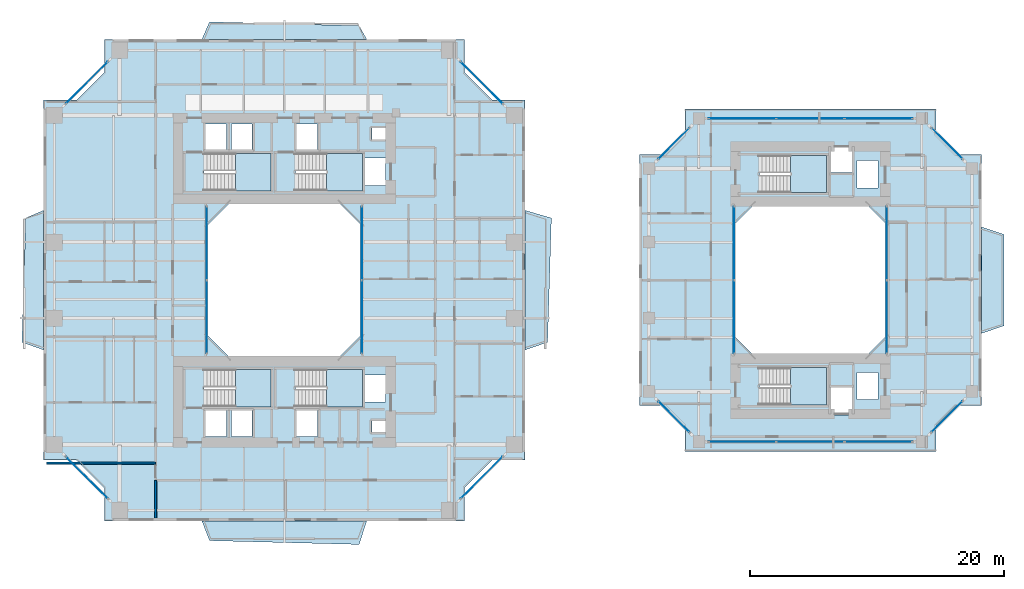
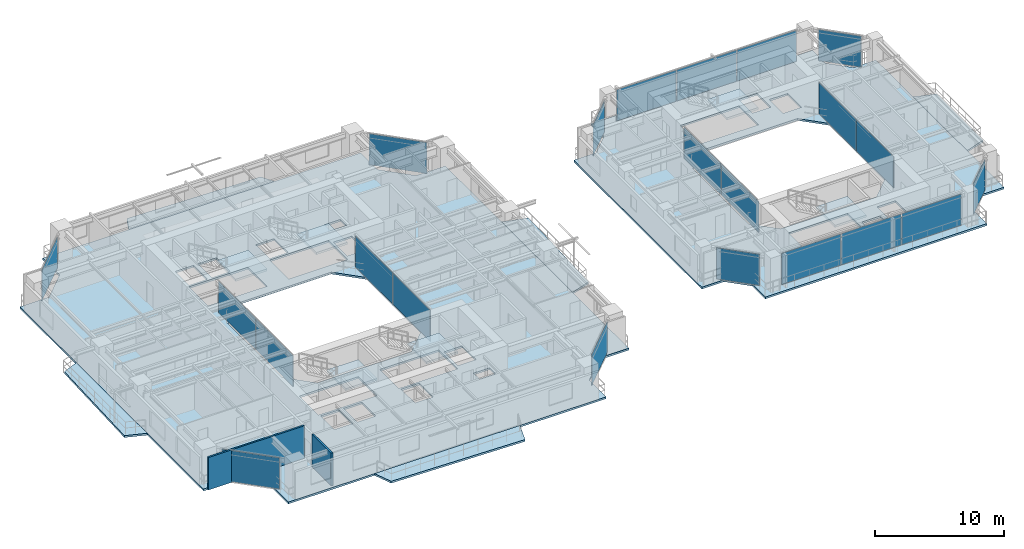
# One storey, part 11 of 24: 22 plates, 13 slabs, 2 walls, 20 elements without a shape of their own.
"""IFC4 building model written with IfcOpenShell, lengths in metres."""

from ifc_helpers import new_model, si_unit, direction, frame, frame_2d, origin, origin_2d, place, context, subcontext, project, spatial, polyline, rectangle, outline, extrude, source, transform, mapped, material, layer, layer_set, type_object, element, aggregate, save


model = new_model("IFC4")

# Units and contexts
model_context = context("Model", 3, precision=1e-05, world=origin(), true_north=direction((0.0, 1.0)))
body_context = subcontext(model_context, "Body", "Model", "MODEL_VIEW")
ifc_project = project(units=[si_unit("LENGTHUNIT", "METRE"), si_unit("AREAUNIT", "SQUARE_METRE"), si_unit("VOLUMEUNIT", "CUBIC_METRE"), si_unit("PLANEANGLEUNIT", "RADIAN"), si_unit("MASSUNIT", "GRAM", prefix="KILO"), si_unit("THERMODYNAMICTEMPERATUREUNIT", "KELVIN"), si_unit("POWERUNIT", "WATT")], contexts=[model_context])

# Site, building, storey
site_placement = place(None, origin())
site = spatial("IfcSite", under=ifc_project, at=site_placement, CompositionType="ELEMENT")
building_placement = place(site_placement, origin())
building = spatial("IfcBuilding", under=site, at=building_placement, Name="Qiaomeng Ring Towers", CompositionType="ELEMENT")
storey_placement = place(building_placement, frame((0.0, 0.0, 36.0)))
storey = spatial("IfcBuildingStorey", under=building, at=storey_placement, Name="L09", CompositionType="ELEMENT", Elevation=36.0)

# Slabs
ifc_material_1 = material(Name="Concrete C40", Category="concrete")
ifc_layer_1 = layer(ifc_material_1, 0.179931640625, Name="Concrete C40")
ifc_layer_set_1 = layer_set([ifc_layer_1], Name="Concrete C40")
slab_type_1 = type_object("IfcSlabType", Name="STR-SL-180", PredefinedType="FLOOR", material=ifc_layer_set_1)
slab_1_placement = place(storey_placement, frame((0.0, 0.0, -0.179931640625)))
element("IfcSlab", 1, at=slab_1_placement, inside=storey, type_object=slab_type_1, Name="L09 Tower 1 Annular Floor Slab", PredefinedType="FLOOR", context=body_context, shape_type="SweptSolid", body=[
    extrude(outline(polyline([(4.800048828125, 4.0), (33.199951171875, 4.0), (33.199951171875, 6.60009765625), (35.39990234375, 8.800048828125), (38.0, 8.800048828125), (38.0, 37.199951171875), (35.39990234375, 37.199951171875), (33.199951171875, 39.39990234375), (33.199951171875, 42.0), (4.800048828125, 42.0), (4.800048828125, 39.39990234375), (2.60009765625, 37.199951171875), (0.0, 37.199951171875), (0.0, 8.800048828125), (2.60009765625, 8.800048828125), (4.800048828125, 6.60009765625), (4.800048828125, 4.0)]), holes=[polyline([(12.780029296875, 10.679931640625), (12.780029296875, 12.820068359375), (14.419921875, 12.820068359375), (14.419921875, 10.679931640625), (12.780029296875, 10.679931640625)]), polyline([(14.830078125, 12.820068359375), (16.469970703125, 12.820068359375), (16.469970703125, 10.679931640625), (14.830078125, 10.679931640625), (14.830078125, 12.820068359375)]), polyline([(12.679931640625, 15.949951171875), (17.949951171875, 15.949951171875), (17.949951171875, 13.010009765625), (12.679931640625, 13.010009765625), (12.679931640625, 15.949951171875)]), polyline([(25.199951171875, 27.199951171875), (25.199951171875, 18.800048828125), (23.199951171875, 16.800048828125), (14.800048828125, 16.800048828125), (12.800048828125, 18.800048828125), (12.800048828125, 27.199951171875), (14.800048828125, 29.199951171875), (23.199951171875, 29.199951171875), (25.199951171875, 27.199951171875)]), polyline([(12.679931640625, 32.989990234375), (17.949951171875, 32.989990234375), (17.949951171875, 30.050048828125), (12.679931640625, 30.050048828125), (12.679931640625, 32.989990234375)]), polyline([(12.780029296875, 35.320068359375), (14.419921875, 35.320068359375), (14.419921875, 33.179931640625), (12.780029296875, 33.179931640625), (12.780029296875, 35.320068359375)]), polyline([(14.830078125, 35.320068359375), (16.469970703125, 35.320068359375), (16.469970703125, 33.179931640625), (14.830078125, 33.179931640625), (14.830078125, 35.320068359375)]), polyline([(19.97998046875, 35.320068359375), (21.6201171875, 35.320068359375), (21.6201171875, 33.179931640625), (19.97998046875, 33.179931640625), (19.97998046875, 35.320068359375)]), polyline([(25.919921875, 11.89990234375), (27.360107421875, 11.89990234375), (27.360107421875, 11.0), (25.919921875, 11.0), (25.919921875, 11.89990234375)]), polyline([(19.97998046875, 12.820068359375), (21.6201171875, 12.820068359375), (21.6201171875, 10.679931640625), (19.97998046875, 10.679931640625), (19.97998046875, 12.820068359375)]), polyline([(25.360107421875, 15.52001953125), (27.0, 15.52001953125), (27.0, 13.3798828125), (25.360107421875, 13.3798828125), (25.360107421875, 15.52001953125)]), polyline([(19.8798828125, 15.949951171875), (25.14990234375, 15.949951171875), (25.14990234375, 13.010009765625), (19.8798828125, 13.010009765625), (19.8798828125, 15.949951171875)]), polyline([(19.8798828125, 32.989990234375), (25.14990234375, 32.989990234375), (25.14990234375, 30.050048828125), (19.8798828125, 30.050048828125), (19.8798828125, 32.989990234375)]), polyline([(25.360107421875, 32.6201171875), (27.0, 32.6201171875), (27.0, 30.47998046875), (25.360107421875, 30.47998046875), (25.360107421875, 32.6201171875)]), polyline([(25.919921875, 35.0), (27.360107421875, 35.0), (27.360107421875, 34.10009765625), (25.919921875, 34.10009765625), (25.919921875, 35.0)])]), origin(), (0.0, 0.0, 1.0), 0.179931640625),
])
slab_2_placement = place(storey_placement, frame((0.0, 0.0, -0.179931640625)))
element("IfcSlab", 2, at=slab_2_placement, inside=storey, type_object=slab_type_1, Name="L09 Companion Tower 2 Annular Floor Slab", PredefinedType="FLOOR", context=body_context, shape_type="SweptSolid", body=[
    extrude(outline(polyline([(50.60009765625, 9.5), (70.39990234375, 9.5), (70.39990234375, 11.5), (72.0, 13.10009765625), (74.0, 13.10009765625), (74.0, 32.89990234375), (72.0, 32.89990234375), (70.39990234375, 34.5), (70.39990234375, 36.5), (50.60009765625, 36.5), (50.60009765625, 34.5), (49.0, 32.89990234375), (47.0, 32.89990234375), (47.0, 13.10009765625), (49.0, 13.10009765625), (50.60009765625, 11.5), (50.60009765625, 9.5)]), holes=[polyline([(62.1298828125, 12.3798828125), (62.1298828125, 14.52001953125), (63.77001953125, 14.52001953125), (63.77001953125, 12.3798828125), (62.1298828125, 12.3798828125)]), polyline([(56.47998046875, 13.159912109375), (56.47998046875, 16.10009765625), (61.75, 16.10009765625), (61.75, 13.159912109375), (56.47998046875, 13.159912109375)]), polyline([(64.179931640625, 13.580078125), (64.179931640625, 15.719970703125), (65.820068359375, 15.719970703125), (65.820068359375, 13.580078125), (64.179931640625, 13.580078125)]), polyline([(64.800048828125, 29.10009765625), (66.60009765625, 27.300048828125), (66.60009765625, 18.699951171875), (64.800048828125, 16.89990234375), (56.199951171875, 16.89990234375), (54.39990234375, 18.699951171875), (54.39990234375, 27.300048828125), (56.199951171875, 29.10009765625), (64.800048828125, 29.10009765625)]), polyline([(64.179931640625, 30.280029296875), (64.179931640625, 32.419921875), (65.820068359375, 32.419921875), (65.820068359375, 30.280029296875), (64.179931640625, 30.280029296875)]), polyline([(56.47998046875, 32.840087890625), (61.75, 32.840087890625), (61.75, 29.89990234375), (56.47998046875, 29.89990234375), (56.47998046875, 32.840087890625)]), polyline([(62.1298828125, 33.6201171875), (63.77001953125, 33.6201171875), (63.77001953125, 31.47998046875), (62.1298828125, 31.47998046875), (62.1298828125, 33.6201171875)])]), origin(), (0.0, 0.0, 1.0), 0.179931640625),
])
ifc_layer_2 = layer(ifc_material_1, 0.179931640625, Name="Concrete C40")
ifc_layer_set_2 = layer_set([ifc_layer_2], Name="Concrete C40")
slab_type_2 = type_object("IfcSlabType", Name="STR-SL-BAL", PredefinedType="FLOOR", material=ifc_layer_set_2)
slab_3_placement = place(storey_placement, frame((0.0, 0.0, -0.179931640625)))
element("IfcSlab", 3, at=slab_3_placement, inside=storey, type_object=slab_type_2, Name="L09 Tower 1 S Faceted Balcony Slab", PredefinedType="FLOOR", context=body_context, shape_type="SweptSolid", body=[
    extrude(outline(polyline([(24.89990234375, 2.14990234375), (13.10009765625, 2.449951171875), (12.5, 4.0), (25.5, 4.0), (24.89990234375, 2.14990234375)])), origin(), (0.0, 0.0, 1.0), 0.179931640625),
])
slab_4_placement = place(storey_placement, frame((0.0, 0.0, -0.179931640625)))
element("IfcSlab", 4, at=slab_4_placement, inside=storey, type_object=slab_type_2, Name="L09 Tower 1 E Faceted Balcony Slab", PredefinedType="FLOOR", context=body_context, shape_type="SweptSolid", body=[
    extrude(outline(polyline([(40.070068359375, 27.89990234375), (39.77001953125, 18.10009765625), (38.0, 17.5), (38.0, 28.5), (40.070068359375, 27.89990234375)])), origin(), (0.0, 0.0, 1.0), 0.179931640625),
])
slab_5_placement = place(storey_placement, frame((0.0, 0.0, -0.179931640625)))
element("IfcSlab", 5, at=slab_5_placement, inside=storey, type_object=slab_type_2, Name="L09 Tower 1 N Faceted Balcony Slab", PredefinedType="FLOOR", context=body_context, shape_type="SweptSolid", body=[
    extrude(outline(polyline([(12.5, 42.0), (13.10009765625, 43.3701171875), (24.89990234375, 43.070068359375), (25.5, 42.0), (12.5, 42.0)])), origin(), (0.0, 0.0, 1.0), 0.179931640625),
])
slab_6_placement = place(storey_placement, frame((0.0, 0.0, -0.179931640625)))
element("IfcSlab", 6, at=slab_6_placement, inside=storey, type_object=slab_type_2, Name="L09 Tower 1 W Faceted Balcony Slab", PredefinedType="FLOOR", context=body_context, shape_type="SweptSolid", body=[
    extrude(outline(polyline([(0.0, 17.5), (-1.699951171875, 18.10009765625), (-1.39990234375, 27.89990234375), (0.0, 28.5), (0.0, 17.5)])), origin(), (0.0, 0.0, 1.0), 0.179931640625),
])
slab_7_placement = place(storey_placement, frame((0.0, 0.0, -0.179931640625)))
element("IfcSlab", 7, at=slab_7_placement, inside=storey, type_object=slab_type_2, Name="L09 Companion East Faceted Balcony Slab", PredefinedType="FLOOR", context=body_context, shape_type="SweptSolid", body=[
    extrude(outline(polyline([(75.77001953125, 26.60009765625), (75.77001953125, 19.39990234375), (74.0, 18.800048828125), (74.0, 27.199951171875), (75.77001953125, 26.60009765625)])), origin(), (0.0, 0.0, 1.0), 0.179931640625),
])

# Stair, slab
ifc_material_2 = material(Name="Precast concrete C40", Category="concrete")
stair_type = type_object("IfcStairType", Name="ARC-ST-325", PredefinedType="HALF_TURN_STAIR", material=ifc_material_2)
stair_1_placement = place(storey_placement, origin())
stair_1 = element("IfcStair", 8, at=stair_1_placement, inside=storey, type_object=stair_type, Name="L09 Tower 1 North Stair 1", PredefinedType="HALF_TURN_STAIR")
ifc_layer_3 = layer(ifc_material_1, 0.199951171875, Name="Concrete C40")
ifc_layer_set_3 = layer_set([ifc_layer_3], Name="Concrete C40")
slab_type_3 = type_object("IfcSlabType", Name="STR-SL-LANDING", PredefinedType="LANDING", material=ifc_layer_set_3)
slab_8_placement = place(storey_placement, frame((0.0, 0.0, 1.425048828125)))
slab_8 = element("IfcSlab", 9, at=slab_8_placement, type_object=slab_type_3, Name="ST1 landing 1", PredefinedType="LANDING", context=body_context, shape_type="SweptSolid", body=[
    extrude(outline(polyline([(15.139892578125, 30.050048828125), (17.949951171875, 30.050048828125), (17.949951171875, 32.989990234375), (15.139892578125, 32.989990234375), (15.139892578125, 30.050048828125)])), origin(), (0.0, 0.0, 1.0), 0.199951171875),
])
aggregate(stair_1, [slab_8])

stair_2_placement = place(storey_placement, origin())
stair_2 = element("IfcStair", 10, at=stair_2_placement, inside=storey, type_object=stair_type, Name="L09 Tower 1 North Stair 2", PredefinedType="HALF_TURN_STAIR")
slab_9_placement = place(storey_placement, frame((0.0, 0.0, 1.425048828125)))
slab_9 = element("IfcSlab", 11, at=slab_9_placement, type_object=slab_type_3, Name="ST2 landing 1", PredefinedType="LANDING", context=body_context, shape_type="SweptSolid", body=[
    extrude(outline(polyline([(22.340087890625, 30.050048828125), (25.14990234375, 30.050048828125), (25.14990234375, 32.989990234375), (22.340087890625, 32.989990234375), (22.340087890625, 30.050048828125)])), origin(), (0.0, 0.0, 1.0), 0.199951171875),
])
aggregate(stair_2, [slab_9])

stair_3_placement = place(storey_placement, origin())
stair_3 = element("IfcStair", 12, at=stair_3_placement, inside=storey, type_object=stair_type, Name="L09 Tower 1 South Stair 3", PredefinedType="HALF_TURN_STAIR")
slab_10_placement = place(storey_placement, frame((0.0, 0.0, 1.425048828125)))
slab_10 = element("IfcSlab", 13, at=slab_10_placement, type_object=slab_type_3, Name="ST3 landing 1", PredefinedType="LANDING", context=body_context, shape_type="SweptSolid", body=[
    extrude(outline(polyline([(15.139892578125, 13.010009765625), (17.949951171875, 13.010009765625), (17.949951171875, 15.949951171875), (15.139892578125, 15.949951171875), (15.139892578125, 13.010009765625)])), origin(), (0.0, 0.0, 1.0), 0.199951171875),
])
aggregate(stair_3, [slab_10])

stair_4_placement = place(storey_placement, origin())
stair_4 = element("IfcStair", 14, at=stair_4_placement, inside=storey, type_object=stair_type, Name="L09 Tower 1 South Stair 4", PredefinedType="HALF_TURN_STAIR")
slab_11_placement = place(storey_placement, frame((0.0, 0.0, 1.425048828125)))
slab_11 = element("IfcSlab", 15, at=slab_11_placement, type_object=slab_type_3, Name="ST4 landing 1", PredefinedType="LANDING", context=body_context, shape_type="SweptSolid", body=[
    extrude(outline(polyline([(22.340087890625, 13.010009765625), (25.14990234375, 13.010009765625), (25.14990234375, 15.949951171875), (22.340087890625, 15.949951171875), (22.340087890625, 13.010009765625)])), origin(), (0.0, 0.0, 1.0), 0.199951171875),
])
aggregate(stair_4, [slab_11])

stair_5_placement = place(storey_placement, origin())
stair_5 = element("IfcStair", 16, at=stair_5_placement, inside=storey, type_object=stair_type, Name="L09 Companion North Stair 5", PredefinedType="HALF_TURN_STAIR")
slab_12_placement = place(storey_placement, frame((0.0, 0.0, 1.425048828125)))
slab_12 = element("IfcSlab", 17, at=slab_12_placement, type_object=slab_type_3, Name="ST5 landing 1", PredefinedType="LANDING", context=body_context, shape_type="SweptSolid", body=[
    extrude(outline(polyline([(58.93994140625, 29.89990234375), (61.75, 29.89990234375), (61.75, 32.840087890625), (58.93994140625, 32.840087890625), (58.93994140625, 29.89990234375)])), origin(), (0.0, 0.0, 1.0), 0.199951171875),
])
aggregate(stair_5, [slab_12])

stair_6_placement = place(storey_placement, origin())
stair_6 = element("IfcStair", 18, at=stair_6_placement, inside=storey, type_object=stair_type, Name="L09 Companion South Stair 6", PredefinedType="HALF_TURN_STAIR")
slab_13_placement = place(storey_placement, frame((0.0, 0.0, 1.425048828125)))
slab_13 = element("IfcSlab", 19, at=slab_13_placement, type_object=slab_type_3, Name="ST6 landing 1", PredefinedType="LANDING", context=body_context, shape_type="SweptSolid", body=[
    extrude(outline(polyline([(58.93994140625, 13.159912109375), (61.75, 13.159912109375), (61.75, 16.10009765625), (58.93994140625, 16.10009765625), (58.93994140625, 13.159912109375)])), origin(), (0.0, 0.0, 1.0), 0.199951171875),
])
aggregate(stair_6, [slab_13])

# Curtain wall, plates
ifc_material_3 = material(Name="Fluorocarbon dark-grey aluminium", Category="aluminium")
ifc_layer_4 = layer(ifc_material_3, 0.139892578125, Name="Fluorocarbon dark-grey aluminium")
ifc_layer_set_4 = layer_set([ifc_layer_4], Name="Fluorocarbon dark-grey aluminium")
curtain_wall_type_1 = type_object("IfcCurtainWallType", Name="ARC-CW-4", PredefinedType="NOTDEFINED", material=ifc_layer_set_4)
curtain_wall_1_placement = place(storey_placement, origin())
curtain_wall_1 = element("IfcCurtainWall", 20, at=curtain_wall_1_placement, inside=storey, type_object=curtain_wall_type_1, Name="L09 Curtain Wall CW4", PredefinedType="NOTDEFINED")
ifc_material_4 = material(Name="Low-E dark-grey laminated double glazing", Category="glass")
ifc_layer_5 = layer(ifc_material_4, 0.028076171875, Name="Low-E dark-grey laminated double glazing")
ifc_layer_set_5 = layer_set([ifc_layer_5], Name="Low-E dark-grey laminated double glazing")
plate_type = type_object("IfcPlateType", Name="ARC-CWP-DARK", PredefinedType="CURTAIN_PANEL", material=ifc_layer_set_5)
shared_shape_1 = source(origin(), body_context, "Body", "SweptSolid", [
    extrude(rectangle(XDim=5.75244140625, YDim=0.028076171875, at=origin_2d()), origin(), (0.0, 0.0, 1.0), 2.93994140625),
])
plate_1_placement = place(storey_placement, frame((12.8798828125, 20.09130859375, 0.06494140625), z_axis=(0.0, 0.0, 1.0), x_axis=(0.0, 1.0, 0.0)))
plate_1 = element("IfcPlate", 21, at=plate_1_placement, type_object=plate_type, Name="CW4 panel 1.1", PredefinedType="CURTAIN_PANEL", context=body_context, shape_type="MappedRepresentation", body=[
    mapped(shared_shape_1, transform((0.0, 0.0, 0.0), x_axis=(1.0, 0.0, 0.0), y_axis=(0.0, 1.0, 0.0), z_axis=(0.0, 0.0, 1.0), scale=1.0)),
])
plate_2_placement = place(storey_placement, frame((12.8798828125, 25.90869140625, 0.06494140625), z_axis=(0.0, 0.0, 1.0), x_axis=(0.0, 1.0, 0.0)))
plate_2 = element("IfcPlate", 22, at=plate_2_placement, type_object=plate_type, Name="CW4 panel 2.1", PredefinedType="CURTAIN_PANEL", context=body_context, shape_type="MappedRepresentation", body=[
    mapped(shared_shape_1, transform((0.0, 0.0, 0.0), x_axis=(1.0, 0.0, 0.0), y_axis=(0.0, 1.0, 0.0), z_axis=(0.0, 0.0, 1.0), scale=1.0)),
])
aggregate(curtain_wall_1, [plate_1, plate_2])

curtain_wall_2_placement = place(storey_placement, origin())
curtain_wall_2 = element("IfcCurtainWall", 23, at=curtain_wall_2_placement, inside=storey, type_object=curtain_wall_type_1, Name="L09 Curtain Wall CW4", PredefinedType="NOTDEFINED")
plate_3_placement = place(storey_placement, frame((25.1201171875, 20.09130859375, 0.06494140625), z_axis=(0.0, 0.0, 1.0), x_axis=(0.0, 1.0, 0.0)))
plate_3 = element("IfcPlate", 24, at=plate_3_placement, type_object=plate_type, Name="CW4 panel 1.1", PredefinedType="CURTAIN_PANEL", context=body_context, shape_type="MappedRepresentation", body=[
    mapped(shared_shape_1, transform((0.0, 0.0, 0.0), x_axis=(1.0, 0.0, 0.0), y_axis=(0.0, 1.0, 0.0), z_axis=(0.0, 0.0, 1.0), scale=1.0)),
])
plate_4_placement = place(storey_placement, frame((25.1201171875, 25.90869140625, 0.06494140625), z_axis=(0.0, 0.0, 1.0), x_axis=(0.0, 1.0, 0.0)))
plate_4 = element("IfcPlate", 25, at=plate_4_placement, type_object=plate_type, Name="CW4 panel 2.1", PredefinedType="CURTAIN_PANEL", context=body_context, shape_type="MappedRepresentation", body=[
    mapped(shared_shape_1, transform((0.0, 0.0, 0.0), x_axis=(1.0, 0.0, 0.0), y_axis=(0.0, 1.0, 0.0), z_axis=(0.0, 0.0, 1.0), scale=1.0)),
])
aggregate(curtain_wall_2, [plate_3, plate_4])

curtain_wall_3_placement = place(storey_placement, origin())
curtain_wall_3 = element("IfcCurtainWall", 26, at=curtain_wall_3_placement, inside=storey, type_object=curtain_wall_type_1, Name="L09 Curtain Wall CW4", PredefinedType="NOTDEFINED")
plate_5_placement = place(storey_placement, frame((54.47998046875, 20.09130859375, 0.06494140625), z_axis=(0.0, 0.0, 1.0), x_axis=(0.0, 1.0, 0.0)))
plate_5 = element("IfcPlate", 27, at=plate_5_placement, type_object=plate_type, Name="CW4 panel 1.1", PredefinedType="CURTAIN_PANEL", context=body_context, shape_type="MappedRepresentation", body=[
    mapped(shared_shape_1, transform((0.0, 0.0, 0.0), x_axis=(1.0, 0.0, 0.0), y_axis=(0.0, 1.0, 0.0), z_axis=(0.0, 0.0, 1.0), scale=1.0)),
])
plate_6_placement = place(storey_placement, frame((54.47998046875, 25.90869140625, 0.06494140625), z_axis=(0.0, 0.0, 1.0), x_axis=(0.0, 1.0, 0.0)))
plate_6 = element("IfcPlate", 28, at=plate_6_placement, type_object=plate_type, Name="CW4 panel 2.1", PredefinedType="CURTAIN_PANEL", context=body_context, shape_type="MappedRepresentation", body=[
    mapped(shared_shape_1, transform((0.0, 0.0, 0.0), x_axis=(1.0, 0.0, 0.0), y_axis=(0.0, 1.0, 0.0), z_axis=(0.0, 0.0, 1.0), scale=1.0)),
])
aggregate(curtain_wall_3, [plate_5, plate_6])

curtain_wall_4_placement = place(storey_placement, origin())
curtain_wall_4 = element("IfcCurtainWall", 29, at=curtain_wall_4_placement, inside=storey, type_object=curtain_wall_type_1, Name="L09 Curtain Wall CW4", PredefinedType="NOTDEFINED")
plate_7_placement = place(storey_placement, frame((66.52001953125, 20.09130859375, 0.06494140625), z_axis=(0.0, 0.0, 1.0), x_axis=(0.0, 1.0, 0.0)))
plate_7 = element("IfcPlate", 30, at=plate_7_placement, type_object=plate_type, Name="CW4 panel 1.1", PredefinedType="CURTAIN_PANEL", context=body_context, shape_type="MappedRepresentation", body=[
    mapped(shared_shape_1, transform((0.0, 0.0, 0.0), x_axis=(1.0, 0.0, 0.0), y_axis=(0.0, 1.0, 0.0), z_axis=(0.0, 0.0, 1.0), scale=1.0)),
])
plate_8_placement = place(storey_placement, frame((66.52001953125, 25.90869140625, 0.06494140625), z_axis=(0.0, 0.0, 1.0), x_axis=(0.0, 1.0, 0.0)))
plate_8 = element("IfcPlate", 31, at=plate_8_placement, type_object=plate_type, Name="CW4 panel 2.1", PredefinedType="CURTAIN_PANEL", context=body_context, shape_type="MappedRepresentation", body=[
    mapped(shared_shape_1, transform((0.0, 0.0, 0.0), x_axis=(1.0, 0.0, 0.0), y_axis=(0.0, 1.0, 0.0), z_axis=(0.0, 0.0, 1.0), scale=1.0)),
])
aggregate(curtain_wall_4, [plate_7, plate_8])

# Curtain wall, plate
ifc_layer_6 = layer(ifc_material_3, 0.159912109375, Name="Fluorocarbon dark-grey aluminium")
ifc_layer_set_6 = layer_set([ifc_layer_6], Name="Fluorocarbon dark-grey aluminium")
curtain_wall_type_2 = type_object("IfcCurtainWallType", Name="ARC-CW-2", PredefinedType="NOTDEFINED", material=ifc_layer_set_6)
curtain_wall_5_placement = place(storey_placement, origin())
curtain_wall_5 = element("IfcCurtainWall", 32, at=curtain_wall_5_placement, inside=storey, type_object=curtain_wall_type_2, Name="L09 Curtain Wall CW2", PredefinedType="NOTDEFINED")
shared_shape_2 = source(origin(), body_context, "Body", "SweptSolid", [
    extrude(rectangle(XDim=4.6259765625, YDim=0.028076171875, at=origin_2d()), origin(), (0.0, 0.0, 1.0), 2.93994140625),
])
plate_9_placement = place(storey_placement, frame((34.574951171875, 7.425048828125, 0.06494140625), z_axis=(0.0, 0.0, 1.0), x_axis=(0.707106781187, 0.707106781187, 0.0)))
plate_9 = element("IfcPlate", 33, at=plate_9_placement, type_object=plate_type, Name="CW2 panel 1.1", PredefinedType="CURTAIN_PANEL", context=body_context, shape_type="MappedRepresentation", body=[
    mapped(shared_shape_2, transform((0.0, 0.0, 0.0), x_axis=(1.0, 0.0, 0.0), y_axis=(0.0, 1.0, 0.0), z_axis=(0.0, 0.0, 1.0), scale=1.0)),
])
aggregate(curtain_wall_5, [plate_9])

curtain_wall_6_placement = place(storey_placement, origin())
curtain_wall_6 = element("IfcCurtainWall", 34, at=curtain_wall_6_placement, inside=storey, type_object=curtain_wall_type_2, Name="L09 Curtain Wall CW2", PredefinedType="NOTDEFINED")
plate_10_placement = place(storey_placement, frame((34.574951171875, 38.574951171875, 0.06494140625), z_axis=(0.0, 0.0, 1.0), x_axis=(-0.707106781187, 0.707106781187, 0.0)))
plate_10 = element("IfcPlate", 35, at=plate_10_placement, type_object=plate_type, Name="CW2 panel 1.1", PredefinedType="CURTAIN_PANEL", context=body_context, shape_type="MappedRepresentation", body=[
    mapped(shared_shape_2, transform((0.0, 0.0, 0.0), x_axis=(1.0, 0.0, 0.0), y_axis=(0.0, 1.0, 0.0), z_axis=(0.0, 0.0, 1.0), scale=1.0)),
])
aggregate(curtain_wall_6, [plate_10])

curtain_wall_7_placement = place(storey_placement, origin())
curtain_wall_7 = element("IfcCurtainWall", 36, at=curtain_wall_7_placement, inside=storey, type_object=curtain_wall_type_2, Name="L09 Curtain Wall CW2", PredefinedType="NOTDEFINED")
plate_11_placement = place(storey_placement, frame((3.425048828125, 38.574951171875, 0.06494140625), z_axis=(0.0, 0.0, 1.0), x_axis=(-0.707106781187, -0.707106781187, 0.0)))
plate_11 = element("IfcPlate", 37, at=plate_11_placement, type_object=plate_type, Name="CW2 panel 1.1", PredefinedType="CURTAIN_PANEL", context=body_context, shape_type="MappedRepresentation", body=[
    mapped(shared_shape_2, transform((0.0, 0.0, 0.0), x_axis=(1.0, 0.0, 0.0), y_axis=(0.0, 1.0, 0.0), z_axis=(0.0, 0.0, 1.0), scale=1.0)),
])
aggregate(curtain_wall_7, [plate_11])

curtain_wall_8_placement = place(storey_placement, origin())
curtain_wall_8 = element("IfcCurtainWall", 38, at=curtain_wall_8_placement, inside=storey, type_object=curtain_wall_type_2, Name="L09 Curtain Wall CW2", PredefinedType="NOTDEFINED")
plate_12_placement = place(storey_placement, frame((3.425048828125, 7.425048828125, 0.06494140625), z_axis=(0.0, 0.0, 1.0), x_axis=(0.707106781187, -0.707106781187, 0.0)))
plate_12 = element("IfcPlate", 39, at=plate_12_placement, type_object=plate_type, Name="CW2 panel 1.1", PredefinedType="CURTAIN_PANEL", context=body_context, shape_type="MappedRepresentation", body=[
    mapped(shared_shape_2, transform((0.0, 0.0, 0.0), x_axis=(1.0, 0.0, 0.0), y_axis=(0.0, 1.0, 0.0), z_axis=(0.0, 0.0, 1.0), scale=1.0)),
])
aggregate(curtain_wall_8, [plate_12])

# Curtain wall, plates
ifc_layer_7 = layer(ifc_material_3, 0.14990234375, Name="Fluorocarbon dark-grey aluminium")
ifc_layer_set_7 = layer_set([ifc_layer_7], Name="Fluorocarbon dark-grey aluminium")
curtain_wall_type_3 = type_object("IfcCurtainWallType", Name="ARC-CW-5", PredefinedType="NOTDEFINED", material=ifc_layer_set_7)
curtain_wall_9_placement = place(storey_placement, origin())
curtain_wall_9 = element("IfcCurtainWall", 40, at=curtain_wall_9_placement, inside=storey, type_object=curtain_wall_type_3, Name="L09 Curtain Wall CW5", PredefinedType="NOTDEFINED")
shared_shape_3 = source(origin(), body_context, "Body", "SweptSolid", [
    extrude(rectangle(XDim=5.284912109375, YDim=0.028076171875, at=origin_2d()), origin(), (0.0, 0.0, 1.0), 2.93994140625),
])
plate_13_placement = place(storey_placement, frame((55.12744140625, 35.75, 0.06494140625), z_axis=(0.0, 0.0, 1.0), x_axis=(1.0, 0.0, 0.0)))
plate_13 = element("IfcPlate", 41, at=plate_13_placement, type_object=plate_type, Name="CW5 panel 1.1", PredefinedType="CURTAIN_PANEL", context=body_context, shape_type="MappedRepresentation", body=[
    mapped(shared_shape_3, transform((0.0, 0.0, 0.0), x_axis=(1.0, 0.0, 0.0), y_axis=(0.0, 1.0, 0.0), z_axis=(0.0, 0.0, 1.0), scale=1.0)),
])
plate_14_placement = place(storey_placement, frame((65.87255859375, 35.75, 0.06494140625), z_axis=(0.0, 0.0, 1.0), x_axis=(1.0, 0.0, 0.0)))
plate_14 = element("IfcPlate", 42, at=plate_14_placement, type_object=plate_type, Name="CW5 panel 3.1", PredefinedType="CURTAIN_PANEL", context=body_context, shape_type="MappedRepresentation", body=[
    mapped(shared_shape_3, transform((0.0, 0.0, 0.0), x_axis=(1.0, 0.0, 0.0), y_axis=(0.0, 1.0, 0.0), z_axis=(0.0, 0.0, 1.0), scale=1.0)),
])

curtain_wall_10_placement = place(storey_placement, origin())
curtain_wall_10 = element("IfcCurtainWall", 43, at=curtain_wall_10_placement, inside=storey, type_object=curtain_wall_type_3, Name="L09 Curtain Wall CW5", PredefinedType="NOTDEFINED")
plate_15_placement = place(storey_placement, frame((55.12744140625, 10.25, 0.06494140625), z_axis=(0.0, 0.0, 1.0), x_axis=(1.0, 0.0, 0.0)))
plate_15 = element("IfcPlate", 44, at=plate_15_placement, type_object=plate_type, Name="CW5 panel 1.1", PredefinedType="CURTAIN_PANEL", context=body_context, shape_type="MappedRepresentation", body=[
    mapped(shared_shape_3, transform((0.0, 0.0, 0.0), x_axis=(1.0, 0.0, 0.0), y_axis=(0.0, 1.0, 0.0), z_axis=(0.0, 0.0, 1.0), scale=1.0)),
])
plate_16_placement = place(storey_placement, frame((65.87255859375, 10.25, 0.06494140625), z_axis=(0.0, 0.0, 1.0), x_axis=(1.0, 0.0, 0.0)))
plate_16 = element("IfcPlate", 45, at=plate_16_placement, type_object=plate_type, Name="CW5 panel 3.1", PredefinedType="CURTAIN_PANEL", context=body_context, shape_type="MappedRepresentation", body=[
    mapped(shared_shape_3, transform((0.0, 0.0, 0.0), x_axis=(1.0, 0.0, 0.0), y_axis=(0.0, 1.0, 0.0), z_axis=(0.0, 0.0, 1.0), scale=1.0)),
])

# Plate
shared_shape_4 = source(origin(), body_context, "Body", "SweptSolid", [
    extrude(rectangle(XDim=5.320068359375, YDim=0.028076171875, at=origin_2d()), origin(), (0.0, 0.0, 1.0), 2.93994140625),
])
plate_17_placement = place(storey_placement, frame((60.5, 35.75, 0.06494140625), z_axis=(0.0, 0.0, 1.0), x_axis=(1.0, 0.0, 0.0)))
plate_17 = element("IfcPlate", 46, at=plate_17_placement, type_object=plate_type, Name="CW5 panel 2.1", PredefinedType="CURTAIN_PANEL", context=body_context, shape_type="MappedRepresentation", body=[
    mapped(shared_shape_4, transform((0.0, 0.0, 0.0), x_axis=(1.0, 0.0, 0.0), y_axis=(0.0, 1.0, 0.0), z_axis=(0.0, 0.0, 1.0), scale=1.0)),
])

aggregate(curtain_wall_9, [plate_13, plate_17, plate_14])

plate_18_placement = place(storey_placement, frame((60.5, 10.25, 0.06494140625), z_axis=(0.0, 0.0, 1.0), x_axis=(1.0, 0.0, 0.0)))
plate_18 = element("IfcPlate", 47, at=plate_18_placement, type_object=plate_type, Name="CW5 panel 2.1", PredefinedType="CURTAIN_PANEL", context=body_context, shape_type="MappedRepresentation", body=[
    mapped(shared_shape_4, transform((0.0, 0.0, 0.0), x_axis=(1.0, 0.0, 0.0), y_axis=(0.0, 1.0, 0.0), z_axis=(0.0, 0.0, 1.0), scale=1.0)),
])

aggregate(curtain_wall_10, [plate_15, plate_18, plate_16])

# Curtain wall, plate
curtain_wall_11_placement = place(storey_placement, origin())
curtain_wall_11 = element("IfcCurtainWall", 48, at=curtain_wall_11_placement, inside=storey, type_object=curtain_wall_type_3, Name="L09 Curtain Wall CW5", PredefinedType="NOTDEFINED")
shared_shape_5 = source(origin(), body_context, "Body", "SweptSolid", [
    extrude(rectangle(XDim=3.423828125, YDim=0.028076171875, at=origin_2d()), origin(), (0.0, 0.0, 1.0), 2.93994140625),
])
plate_19_placement = place(storey_placement, frame((71.27490234375, 12.22509765625, 0.06494140625), z_axis=(0.0, 0.0, 1.0), x_axis=(0.707106781187, 0.707106781187, 0.0)))
plate_19 = element("IfcPlate", 49, at=plate_19_placement, type_object=plate_type, Name="CW5 panel 1.1", PredefinedType="CURTAIN_PANEL", context=body_context, shape_type="MappedRepresentation", body=[
    mapped(shared_shape_5, transform((0.0, 0.0, 0.0), x_axis=(1.0, 0.0, 0.0), y_axis=(0.0, 1.0, 0.0), z_axis=(0.0, 0.0, 1.0), scale=1.0)),
])
aggregate(curtain_wall_11, [plate_19])

curtain_wall_12_placement = place(storey_placement, origin())
curtain_wall_12 = element("IfcCurtainWall", 50, at=curtain_wall_12_placement, inside=storey, type_object=curtain_wall_type_3, Name="L09 Curtain Wall CW5", PredefinedType="NOTDEFINED")
plate_20_placement = place(storey_placement, frame((71.27490234375, 33.77490234375, 0.06494140625), z_axis=(0.0, 0.0, 1.0), x_axis=(-0.707106781187, 0.707106781187, 0.0)))
plate_20 = element("IfcPlate", 51, at=plate_20_placement, type_object=plate_type, Name="CW5 panel 1.1", PredefinedType="CURTAIN_PANEL", context=body_context, shape_type="MappedRepresentation", body=[
    mapped(shared_shape_5, transform((0.0, 0.0, 0.0), x_axis=(1.0, 0.0, 0.0), y_axis=(0.0, 1.0, 0.0), z_axis=(0.0, 0.0, 1.0), scale=1.0)),
])
aggregate(curtain_wall_12, [plate_20])

curtain_wall_13_placement = place(storey_placement, origin())
curtain_wall_13 = element("IfcCurtainWall", 52, at=curtain_wall_13_placement, inside=storey, type_object=curtain_wall_type_3, Name="L09 Curtain Wall CW5", PredefinedType="NOTDEFINED")
plate_21_placement = place(storey_placement, frame((49.72509765625, 33.77490234375, 0.06494140625), z_axis=(0.0, 0.0, 1.0), x_axis=(-0.707106781187, -0.707106781187, 0.0)))
plate_21 = element("IfcPlate", 53, at=plate_21_placement, type_object=plate_type, Name="CW5 panel 1.1", PredefinedType="CURTAIN_PANEL", context=body_context, shape_type="MappedRepresentation", body=[
    mapped(shared_shape_5, transform((0.0, 0.0, 0.0), x_axis=(1.0, 0.0, 0.0), y_axis=(0.0, 1.0, 0.0), z_axis=(0.0, 0.0, 1.0), scale=1.0)),
])
aggregate(curtain_wall_13, [plate_21])

curtain_wall_14_placement = place(storey_placement, origin())
curtain_wall_14 = element("IfcCurtainWall", 54, at=curtain_wall_14_placement, inside=storey, type_object=curtain_wall_type_3, Name="L09 Curtain Wall CW5", PredefinedType="NOTDEFINED")
plate_22_placement = place(storey_placement, frame((49.72509765625, 12.22509765625, 0.06494140625), z_axis=(0.0, 0.0, 1.0), x_axis=(0.707106781187, -0.707106781187, 0.0)))
plate_22 = element("IfcPlate", 55, at=plate_22_placement, type_object=plate_type, Name="CW5 panel 1.1", PredefinedType="CURTAIN_PANEL", context=body_context, shape_type="MappedRepresentation", body=[
    mapped(shared_shape_5, transform((0.0, 0.0, 0.0), x_axis=(1.0, 0.0, 0.0), y_axis=(0.0, 1.0, 0.0), z_axis=(0.0, 0.0, 1.0), scale=1.0)),
])
aggregate(curtain_wall_14, [plate_22])

# Walls
ifc_material_5 = material(Name="Gypsum fireboard steel-stud partition", Category="steel")
ifc_layer_8 = layer(ifc_material_5, 0.14990234375, Name="Gypsum fireboard steel-stud partition")
ifc_layer_set_8 = layer_set([ifc_layer_8], Name="Gypsum fireboard steel-stud partition")
wall_type = type_object("IfcWallType", Name="ARC-WL-PW3", PredefinedType="PARTITIONING", material=ifc_layer_set_8)
wall_1_placement = place(storey_placement, frame((8.85009765625, 4.25, 0.0), z_axis=(0.0, 0.0, 1.0), x_axis=(0.0, 1.0, 0.0)))
element("IfcWall", 56, at=wall_1_placement, inside=storey, type_object=wall_type, Name="L09 Interior Wall PW3", PredefinedType="PARTITIONING", context=body_context, shape_type="SweptSolid", body=[
    extrude(rectangle(XDim=2.9599609375, YDim=0.14990234375, at=frame_2d((1.47998046875, 0.0))), origin(), (0.0, 0.0, 1.0), 3.070068359375),
])
wall_2_placement = place(storey_placement, frame((0.25, 8.570068359375, 0.0), z_axis=(0.0, 0.0, 1.0), x_axis=(1.0, 0.0, 0.0)))
element("IfcWall", 57, at=wall_2_placement, inside=storey, type_object=wall_type, Name="L09 Interior Wall PW3", PredefinedType="PARTITIONING", context=body_context, shape_type="SweptSolid", body=[
    extrude(rectangle(XDim=8.60009765625, YDim=0.14990234375, at=frame_2d((4.300048828125, 0.0))), origin(), (0.0, 0.0, 1.0), 3.070068359375),
])

save(model, "model.ifc")
